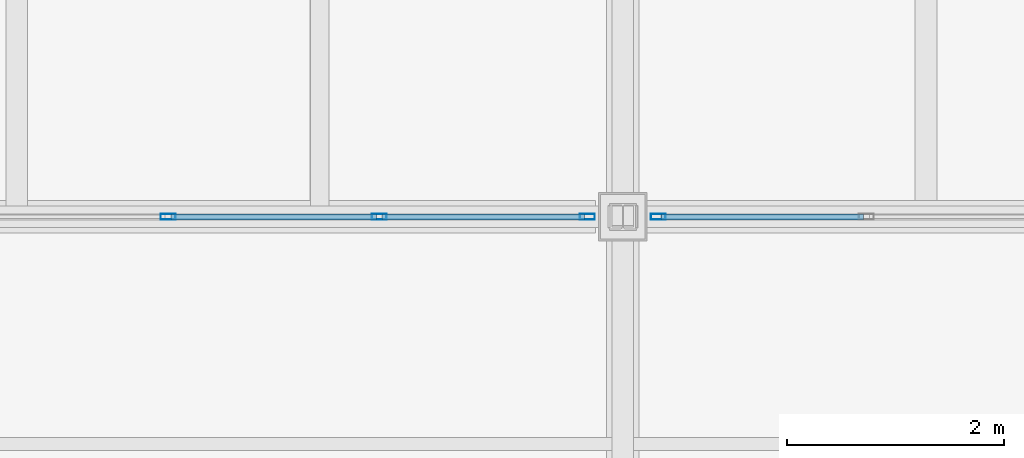
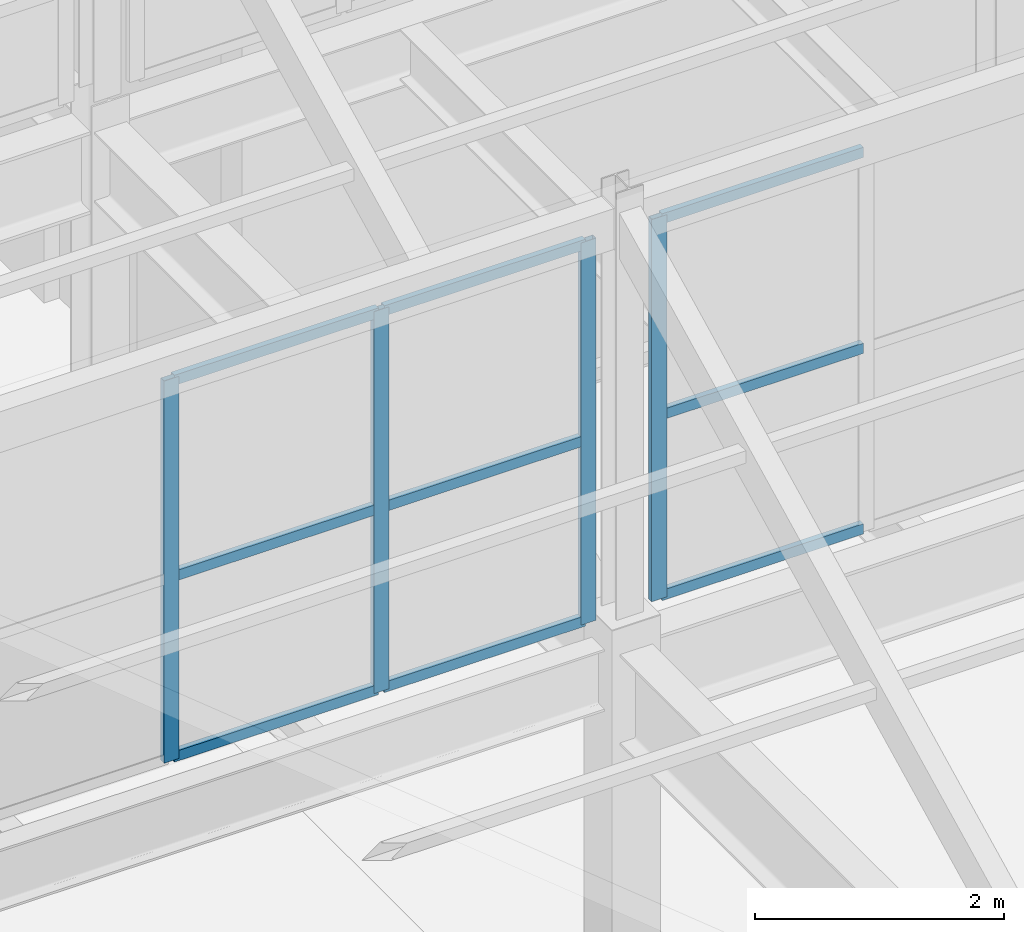
# One storey, part 30 of 91: 13 members, 2 elements without a shape of their own.
"""IFC4 building model written with IfcOpenShell, lengths in metres."""

from ifc_helpers import new_model, si_unit, direction, frame, origin, origin_2d, place, context, subcontext, project, spatial, hollow_rectangle, extrude, material, layer, layer_set, material_profile, profile_set, type_object, element, aggregate, save


model = new_model("IFC4")

# Units and contexts
model_context = context("Model", 3, precision=1e-05, world=origin(), true_north=direction((0.0, 1.0)))
body_context = subcontext(model_context, "Body", "Model", "MODEL_VIEW")
ifc_project = project(units=[si_unit("LENGTHUNIT", "METRE"), si_unit("AREAUNIT", "SQUARE_METRE"), si_unit("VOLUMEUNIT", "CUBIC_METRE"), si_unit("PLANEANGLEUNIT", "RADIAN"), si_unit("MASSUNIT", "GRAM", prefix="KILO"), si_unit("THERMODYNAMICTEMPERATUREUNIT", "KELVIN")], contexts=[model_context])

# Site, building, storey
site_placement = place(None, origin())
site = spatial("IfcSite", under=ifc_project, at=site_placement, CompositionType="ELEMENT")
building_placement = place(site_placement, origin())
building = spatial("IfcBuilding", under=site, at=building_placement, Name="Lustrewick Department Store", CompositionType="ELEMENT")
storey_placement = place(building_placement, frame((0.0, 0.0, 21.60009765625)))
storey = spatial("IfcBuildingStorey", under=building, at=storey_placement, Name="L05", CompositionType="ELEMENT", Elevation=21.60009765625)

# Curtain wall, members
ifc_material = material(Name="Thermally broken aluminium 6063-T5", Category="aluminium")
ifc_layer = layer(ifc_material, 0.139892578125, Name="Thermally broken aluminium 6063-T5")
ifc_layer_set = layer_set([ifc_layer], Name="Thermally broken aluminium 6063-T5")
curtain_wall_type = type_object("IfcCurtainWallType", Name="CW15", PredefinedType="NOTDEFINED", material=ifc_layer_set)
curtain_wall_1_placement = place(storey_placement, origin())
curtain_wall_1 = element("IfcCurtainWall", 1, at=curtain_wall_1_placement, inside=storey, type_object=curtain_wall_type, Name="L05 North-Light Clerestory CW15", PredefinedType="NOTDEFINED")
ifc_material_profile_1 = material_profile(ifc_material, hollow_rectangle(XDim=0.054931640625, YDim=0.139892578125, WallThickness=0.00341796875, at=origin_2d()), Name="ALU-M 55x140x3.5")
ifc_profile_set_1 = profile_set([ifc_material_profile_1], Name="Thermally broken aluminium 6063-T5")
member_type_1 = type_object("IfcMemberType", Name="CW15-M1", PredefinedType="MULLION", material=ifc_profile_set_1)
member_1_placement = place(storey_placement, frame((130.199951171875, 33.60009765625, 5.099853515625), z_axis=(0.0, 0.0, 1.0), x_axis=(0.0, 1.0, 0.0)))
member_1 = element("IfcMember", 2, at=member_1_placement, type_object=member_type_1, Name="CW15 mullion 3", PredefinedType="MULLION", context=body_context, shape_type="SweptSolid", body=[
    extrude(hollow_rectangle(XDim=0.054931640625, YDim=0.139892578125, WallThickness=0.00341796875, at=origin_2d()), origin(), (0.0, 0.0, 1.0), 3.75),
])
member_2_placement = place(storey_placement, frame((132.14990234375, 33.60009765625, 5.099853515625), z_axis=(0.0, 0.0, 1.0), x_axis=(0.0, 1.0, 0.0)))
member_2 = element("IfcMember", 3, at=member_2_placement, type_object=member_type_1, Name="CW15 mullion 4", PredefinedType="MULLION", context=body_context, shape_type="SweptSolid", body=[
    extrude(hollow_rectangle(XDim=0.054931640625, YDim=0.139892578125, WallThickness=0.00341796875, at=origin_2d()), origin(), (0.0, 0.0, 1.0), 3.75),
])
member_3_placement = place(storey_placement, frame((134.072509765625, 33.60009765625, 5.099853515625), z_axis=(0.0, 0.0, 1.0), x_axis=(0.0, 1.0, 0.0)))
member_3 = element("IfcMember", 4, at=member_3_placement, type_object=member_type_1, Name="CW15 mullion 5", PredefinedType="MULLION", context=body_context, shape_type="SweptSolid", body=[
    extrude(hollow_rectangle(XDim=0.054931640625, YDim=0.139892578125, WallThickness=0.00341796875, at=origin_2d()), origin(), (0.0, 0.0, 1.0), 3.75),
])

# Curtain wall, member
curtain_wall_2_placement = place(storey_placement, origin())
curtain_wall_2 = element("IfcCurtainWall", 5, at=curtain_wall_2_placement, inside=storey, type_object=curtain_wall_type, Name="L05 North-Light Clerestory CW15", PredefinedType="NOTDEFINED")
member_4_placement = place(storey_placement, frame((134.7275390625, 33.60009765625, 5.099853515625), z_axis=(0.0, 0.0, 1.0), x_axis=(0.0, 1.0, 0.0)))
member_4 = element("IfcMember", 6, at=member_4_placement, type_object=member_type_1, Name="CW15 mullion 1", PredefinedType="MULLION", context=body_context, shape_type="SweptSolid", body=[
    extrude(hollow_rectangle(XDim=0.054931640625, YDim=0.139892578125, WallThickness=0.00341796875, at=origin_2d()), origin(), (0.0, 0.0, 1.0), 3.75),
])

# Member
ifc_material_profile_2 = material_profile(ifc_material, hollow_rectangle(XDim=0.054931640625, YDim=0.10009765625, WallThickness=0.0029296875, at=origin_2d()), Name="ALU-T 55x100x3")
ifc_profile_set_2 = profile_set([ifc_material_profile_2], Name="Thermally broken aluminium 6063-T5")
member_type_2 = type_object("IfcMemberType", Name="CW15-T1", PredefinedType="USERDEFINED", material=ifc_profile_set_2)
member_5_placement = place(storey_placement, frame((130.2275390625, 33.60009765625, 5.12744140625), z_axis=(1.0, 0.0, 0.0), x_axis=(0.0, 1.0, 0.0)))
member_5 = element("IfcMember", 7, at=member_5_placement, type_object=member_type_2, Name="CW15 transom 3.1", ObjectType="TRANSOM", PredefinedType="USERDEFINED", context=body_context, shape_type="SweptSolid", body=[
    extrude(hollow_rectangle(XDim=0.054931640625, YDim=0.10009765625, WallThickness=0.0029296875, at=origin_2d()), origin(), (0.0, 0.0, 1.0), 1.89501953125),
])

member_6_placement = place(storey_placement, frame((130.2275390625, 33.60009765625, 6.89990234375), z_axis=(1.0, 0.0, 0.0), x_axis=(0.0, 1.0, 0.0)))
member_6 = element("IfcMember", 8, at=member_6_placement, type_object=member_type_2, Name="CW15 transom 3.2", ObjectType="TRANSOM", PredefinedType="USERDEFINED", context=body_context, shape_type="SweptSolid", body=[
    extrude(hollow_rectangle(XDim=0.054931640625, YDim=0.10009765625, WallThickness=0.0029296875, at=origin_2d()), origin(), (0.0, 0.0, 1.0), 1.89501953125),
])

member_7_placement = place(storey_placement, frame((130.2275390625, 33.60009765625, 8.822509765625), z_axis=(1.0, 0.0, 0.0), x_axis=(0.0, 1.0, 0.0)))
member_7 = element("IfcMember", 9, at=member_7_placement, type_object=member_type_2, Name="CW15 transom 3.3", ObjectType="TRANSOM", PredefinedType="USERDEFINED", context=body_context, shape_type="SweptSolid", body=[
    extrude(hollow_rectangle(XDim=0.054931640625, YDim=0.10009765625, WallThickness=0.0029296875, at=origin_2d()), origin(), (0.0, 0.0, 1.0), 1.89501953125),
])

member_8_placement = place(storey_placement, frame((132.177490234375, 33.60009765625, 5.12744140625), z_axis=(1.0, 0.0, 0.0), x_axis=(0.0, 1.0, 0.0)))
member_8 = element("IfcMember", 10, at=member_8_placement, type_object=member_type_2, Name="CW15 transom 4.1", ObjectType="TRANSOM", PredefinedType="USERDEFINED", context=body_context, shape_type="SweptSolid", body=[
    extrude(hollow_rectangle(XDim=0.054931640625, YDim=0.10009765625, WallThickness=0.0029296875, at=origin_2d()), origin(), (0.0, 0.0, 1.0), 1.867431640625),
])

member_9_placement = place(storey_placement, frame((132.177490234375, 33.60009765625, 6.89990234375), z_axis=(1.0, 0.0, 0.0), x_axis=(0.0, 1.0, 0.0)))
member_9 = element("IfcMember", 11, at=member_9_placement, type_object=member_type_2, Name="CW15 transom 4.2", ObjectType="TRANSOM", PredefinedType="USERDEFINED", context=body_context, shape_type="SweptSolid", body=[
    extrude(hollow_rectangle(XDim=0.054931640625, YDim=0.10009765625, WallThickness=0.0029296875, at=origin_2d()), origin(), (0.0, 0.0, 1.0), 1.867431640625),
])

member_10_placement = place(storey_placement, frame((132.177490234375, 33.60009765625, 8.822509765625), z_axis=(1.0, 0.0, 0.0), x_axis=(0.0, 1.0, 0.0)))
member_10 = element("IfcMember", 12, at=member_10_placement, type_object=member_type_2, Name="CW15 transom 4.3", ObjectType="TRANSOM", PredefinedType="USERDEFINED", context=body_context, shape_type="SweptSolid", body=[
    extrude(hollow_rectangle(XDim=0.054931640625, YDim=0.10009765625, WallThickness=0.0029296875, at=origin_2d()), origin(), (0.0, 0.0, 1.0), 1.867431640625),
])

aggregate(curtain_wall_1, [member_1, member_2, member_3, member_5, member_6, member_7, member_8, member_9, member_10])

member_11_placement = place(storey_placement, frame((134.7548828125, 33.60009765625, 5.12744140625), z_axis=(1.0, 0.0, 0.0), x_axis=(0.0, 1.0, 0.0)))
member_11 = element("IfcMember", 13, at=member_11_placement, type_object=member_type_2, Name="CW15 transom 1.1", ObjectType="TRANSOM", PredefinedType="USERDEFINED", context=body_context, shape_type="SweptSolid", body=[
    extrude(hollow_rectangle(XDim=0.054931640625, YDim=0.10009765625, WallThickness=0.0029296875, at=origin_2d()), origin(), (0.0, 0.0, 1.0), 1.86767578125),
])

member_12_placement = place(storey_placement, frame((134.7548828125, 33.60009765625, 6.89990234375), z_axis=(1.0, 0.0, 0.0), x_axis=(0.0, 1.0, 0.0)))
member_12 = element("IfcMember", 14, at=member_12_placement, type_object=member_type_2, Name="CW15 transom 1.2", ObjectType="TRANSOM", PredefinedType="USERDEFINED", context=body_context, shape_type="SweptSolid", body=[
    extrude(hollow_rectangle(XDim=0.054931640625, YDim=0.10009765625, WallThickness=0.0029296875, at=origin_2d()), origin(), (0.0, 0.0, 1.0), 1.86767578125),
])

member_13_placement = place(storey_placement, frame((134.7548828125, 33.60009765625, 8.822509765625), z_axis=(1.0, 0.0, 0.0), x_axis=(0.0, 1.0, 0.0)))
member_13 = element("IfcMember", 15, at=member_13_placement, type_object=member_type_2, Name="CW15 transom 1.3", ObjectType="TRANSOM", PredefinedType="USERDEFINED", context=body_context, shape_type="SweptSolid", body=[
    extrude(hollow_rectangle(XDim=0.054931640625, YDim=0.10009765625, WallThickness=0.0029296875, at=origin_2d()), origin(), (0.0, 0.0, 1.0), 1.86767578125),
])

aggregate(curtain_wall_2, [member_4, member_11, member_12, member_13])

save(model, "model.ifc")
